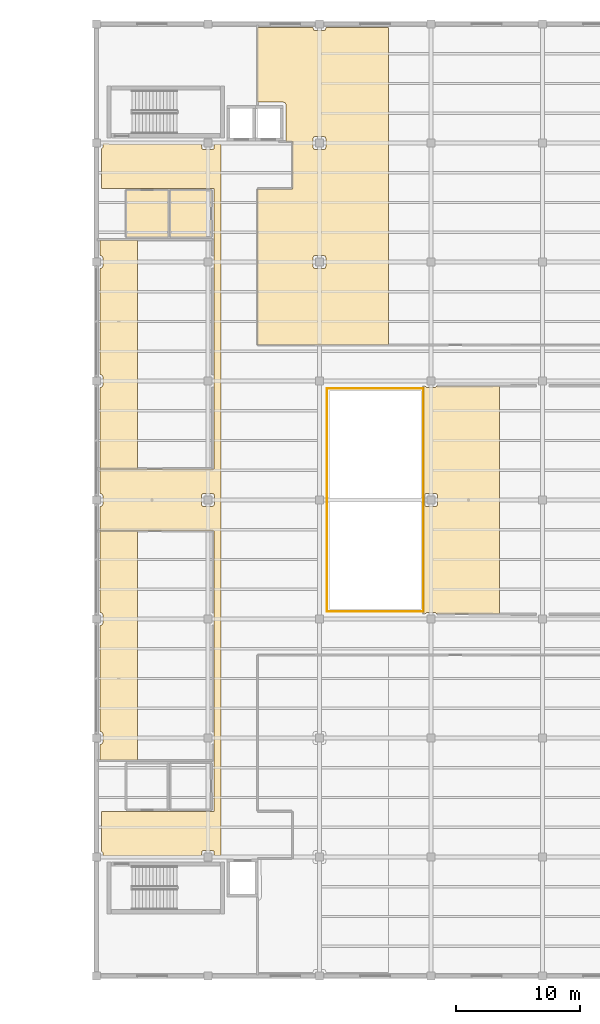
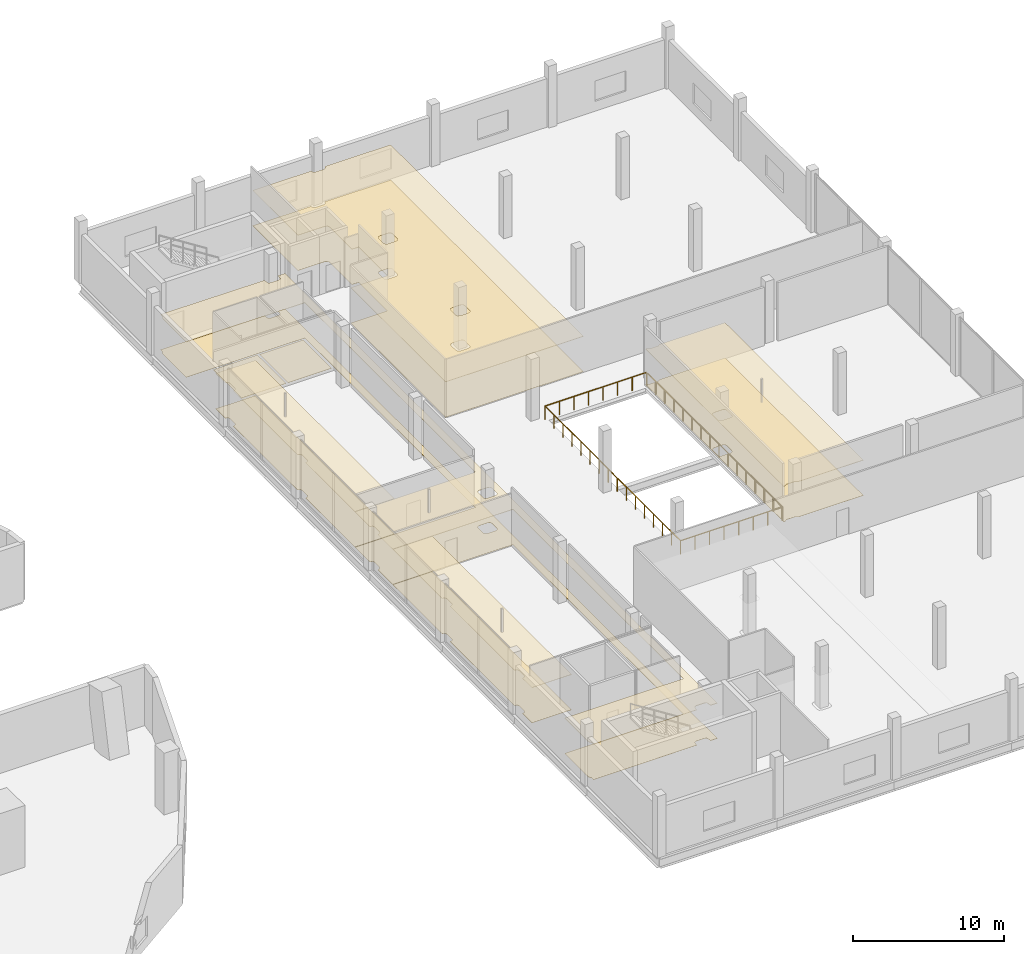
# One storey, part 45 of 46: 12 coverings, 4 railings.
"""IFC4 building model written with IfcOpenShell, lengths in metres."""

from ifc_helpers import new_model, si_unit, direction, frame, origin, origin_2d, place, context, subcontext, project, spatial, polyline, circle, outline, extrude, material, layer, layer_set, type_object, element, save


model = new_model("IFC4")

# Units and contexts
model_context = context("Model", 3, precision=1e-05, world=origin(), true_north=direction((0.0, 1.0)))
body_context = subcontext(model_context, "Body", "Model", "MODEL_VIEW")
ifc_project = project(units=[si_unit("LENGTHUNIT", "METRE"), si_unit("AREAUNIT", "SQUARE_METRE"), si_unit("VOLUMEUNIT", "CUBIC_METRE"), si_unit("PLANEANGLEUNIT", "RADIAN"), si_unit("MASSUNIT", "GRAM", prefix="KILO")], contexts=[model_context])

# Site, building, storey
site_placement = place(None, origin())
site = spatial("IfcSite", under=ifc_project, at=site_placement, CompositionType="ELEMENT")
building_placement = place(site_placement, origin())
building = spatial("IfcBuilding", under=site, at=building_placement, Name="Qorvath Tower", CompositionType="ELEMENT")
storey_placement = place(building_placement, frame((0.0, 0.0, 17.0)))
storey = spatial("IfcBuildingStorey", under=building, at=storey_placement, Name="L03", CompositionType="ELEMENT", Elevation=17.0)

# Coverings
ifc_material_1 = material(Name="Acoustic mineral fibre ceiling tile", Category="gypsum")
ifc_layer_1 = layer(ifc_material_1, 0.030029296875)
ifc_layer_set_1 = layer_set([ifc_layer_1], Name="COV-CEIL")
covering_type_1 = type_object("IfcCoveringType", Name="COV-CEIL", PredefinedType="CEILING", material=ifc_layer_set_1)
covering_1_placement = place(storey_placement, frame((0.0, 0.0, 2.85009765625)))
element("IfcCovering", 1, at=covering_1_placement, inside=storey, type_object=covering_type_1, Name="L03 Suspended Acoustic Ceiling 005", PredefinedType="CEILING", context=body_context, shape_type="SweptSolid", body=[
    extrude(outline(polyline([(41.905029296875, -25.1201171875), (32.804931640625, -25.125), (32.804931640625, -28.302734375), (32.9296875, -28.47314453125), (32.929931640625, -28.733154296875), (40.8701171875, -28.699951171875), (40.931640625, -28.328857421875), (41.074951171875, -28.27001953125), (41.72509765625, -28.27001953125), (41.87109375, -28.331787109375), (41.929931640625, -28.699951171875), (42.455078125, -28.698486328125), (42.455078125, 28.7080078125), (41.929931640625, 28.7099609375), (41.87109375, 28.331787109375), (41.72509765625, 28.27001953125), (41.074951171875, 28.27001953125), (40.931640625, 28.328857421875), (40.8701171875, 28.7099609375), (32.929931640625, 28.7431640625), (32.9296875, 28.47314453125), (32.804931640625, 28.302734375), (32.804931640625, 25.125), (41.905029296875, 25.1201171875), (41.905029296875, 2.5), (32.68505859375, 2.4951171875), (32.68505859375, 0.528564453125), (32.867919921875, 0.47119140625), (32.9296875, 0.326904296875), (32.929931640625, -0.324951171875), (32.867919921875, -0.47119140625), (32.68505859375, -0.528564453125), (32.68505859375, -2.4951171875), (41.905029296875, -2.5), (41.905029296875, -25.1201171875)]), holes=[polyline([(40.928955078125, -0.46826171875), (40.8701171875, -0.324951171875), (40.8701171875, 0.324951171875), (40.931640625, 0.470947265625), (41.074951171875, 0.530029296875), (41.72509765625, 0.530029296875), (41.87109375, 0.46826171875), (41.929931640625, 0.324951171875), (41.929931640625, -0.324951171875), (41.868408203125, -0.470947265625), (41.72509765625, -0.530029296875), (41.074951171875, -0.530029296875), (40.928955078125, -0.46826171875)])]), origin(), (0.0, 0.0, 1.0), 0.030029296875),
])
covering_2_placement = place(storey_placement, frame((0.0, 0.0, 2.85009765625)))
element("IfcCovering", 2, at=covering_2_placement, inside=storey, type_object=covering_type_1, Name="L03 Suspended Acoustic Ceiling 006", PredefinedType="CEILING", context=body_context, shape_type="SweptSolid", body=[
    extrude(outline(polyline([(45.405029296875, 38.114990234375), (45.405029296875, 32.110107421875), (47.4599609375, 32.110107421875), (47.63671875, 32.036865234375), (47.7099609375, 31.860107421875), (47.69873046875, 28.9130859375), (48.212890625, 28.907958984375), (48.21142578125, 25.1083984375), (45.4130859375, 25.10693359375), (45.4130859375, 12.512939453125), (55.97509765625, 12.51025390625), (55.97509765625, 38.114990234375), (50.9287109375, 38.114990234375), (50.87109375, 37.93212890625), (50.726806640625, 37.870361328125), (50.074951171875, 37.8701171875), (49.9287109375, 37.93212890625), (49.871337890625, 38.114990234375), (45.405029296875, 38.114990234375)]), holes=[polyline([(50.726806640625, 29.32958984375), (50.87109375, 29.268310546875), (50.929931640625, 29.125), (50.929931640625, 28.47509765625), (50.87109375, 28.331787109375), (50.72509765625, 28.27001953125), (50.074951171875, 28.27001953125), (49.931640625, 28.328857421875), (49.8701171875, 28.47509765625), (49.8701171875, 29.125), (49.928955078125, 29.268310546875), (50.074951171875, 29.330078125), (50.726806640625, 29.32958984375)]), polyline([(50.87109375, 19.668212890625), (50.929931640625, 19.52490234375), (50.929931640625, 18.875), (50.868408203125, 18.72900390625), (50.72509765625, 18.669921875), (50.074951171875, 18.669921875), (49.928955078125, 18.731689453125), (49.8701171875, 18.875), (49.8701171875, 19.52490234375), (49.931640625, 19.671142578125), (50.074951171875, 19.72998046875), (50.72509765625, 19.72998046875), (50.87109375, 19.668212890625)])]), origin(), (0.0, 0.0, 1.0), 0.030029296875),
])
covering_3_placement = place(storey_placement, frame((0.0, 0.0, 2.85009765625)))
element("IfcCovering", 3, at=covering_3_placement, inside=storey, type_object=covering_type_1, Name="L03 Suspended Acoustic Ceiling 008", PredefinedType="CEILING", context=body_context, shape_type="SweptSolid", body=[
    extrude(outline(polyline([(59.726806640625, -9.0703125), (59.89404296875, -9.18701171875), (64.908447265625, -9.19189453125), (64.908447265625, 9.19189453125), (59.89404296875, 9.18701171875), (59.72509765625, 9.070068359375), (59.074951171875, 9.070068359375), (58.906005859375, 9.18701171875), (58.804931640625, 9.18701171875), (58.804931640625, -9.18701171875), (58.906005859375, -9.18701171875), (59.074951171875, -9.070068359375), (59.726806640625, -9.0703125)]), holes=[polyline([(59.87109375, 0.46826171875), (59.929931640625, 0.324951171875), (59.929931640625, -0.324951171875), (59.868408203125, -0.470947265625), (59.72509765625, -0.530029296875), (59.074951171875, -0.530029296875), (58.928955078125, -0.46826171875), (58.8701171875, -0.324951171875), (58.8701171875, 0.324951171875), (58.931640625, 0.470947265625), (59.074951171875, 0.530029296875), (59.72509765625, 0.530029296875), (59.87109375, 0.46826171875)])]), origin(), (0.0, 0.0, 1.0), 0.030029296875),
])
covering_4_placement = place(storey_placement, frame((0.0, 0.0, 2.85009765625)))
element("IfcCovering", 4, at=covering_4_placement, inside=storey, type_object=covering_type_1, Name="L03 Suspended Acoustic Ceiling 009", PredefinedType="CEILING", context=body_context, shape_type="SweptSolid", body=[
    extrude(outline(polyline([(32.9296875, 9.273193359375), (32.867919921875, 9.12890625), (32.68505859375, 9.0712890625), (32.68505859375, 2.512939453125), (35.7216796875, 2.512939453125), (35.7216796875, 20.9951171875), (32.68505859375, 20.9951171875), (32.68505859375, 19.728759765625), (32.867919921875, 19.671142578125), (32.9296875, 19.52685546875), (32.929931640625, 18.875), (32.867919921875, 18.728759765625), (32.68505859375, 18.67138671875), (32.68505859375, 10.128662109375), (32.867919921875, 10.0712890625), (32.9296875, 9.927001953125), (32.9296875, 9.273193359375)])), origin(), (0.0, 0.0, 1.0), 0.030029296875),
])
covering_5_placement = place(storey_placement, frame((0.0, 0.0, 2.85009765625)))
element("IfcCovering", 5, at=covering_5_placement, inside=storey, type_object=covering_type_1, Name="L03 Suspended Acoustic Ceiling 010", PredefinedType="CEILING", context=body_context, shape_type="SweptSolid", body=[
    extrude(outline(polyline([(32.9296875, -19.52685546875), (32.867919921875, -19.671142578125), (32.68505859375, -19.728759765625), (32.68505859375, -20.9951171875), (35.7216796875, -20.9951171875), (35.7216796875, -2.512939453125), (32.68505859375, -2.512939453125), (32.68505859375, -9.0712890625), (32.867919921875, -9.12890625), (32.9296875, -9.273193359375), (32.929931640625, -9.925048828125), (32.867919921875, -10.0712890625), (32.68505859375, -10.128662109375), (32.68505859375, -18.67138671875), (32.867919921875, -18.728759765625), (32.9296875, -18.873046875), (32.9296875, -19.52685546875)])), origin(), (0.0, 0.0, 1.0), 0.030029296875),
])
ifc_material_2 = material(Name="Low-VOC modular carpet tile", Category="textile")
ifc_layer_2 = layer(ifc_material_2, 0.014892578125)
ifc_layer_set_2 = layer_set([ifc_layer_2], Name="COV-FLOOR-CPT")
covering_type_2 = type_object("IfcCoveringType", Name="COV-FLOOR-CPT", PredefinedType="FLOORING", material=ifc_layer_set_2)
covering_6_placement = place(storey_placement, origin())
element("IfcCovering", 6, at=covering_6_placement, inside=storey, type_object=covering_type_2, Name="L03 Floor Finish 006", PredefinedType="FLOORING", context=body_context, shape_type="SweptSolid", body=[
    extrude(outline(polyline([(45.405029296875, 38.114990234375), (45.405029296875, 32.110107421875), (47.4599609375, 32.110107421875), (47.63671875, 32.036865234375), (47.7099609375, 31.860107421875), (47.69873046875, 28.9130859375), (48.212890625, 28.907958984375), (48.21142578125, 25.1083984375), (45.4130859375, 25.10693359375), (45.4130859375, 12.512939453125), (55.97509765625, 12.51025390625), (55.97509765625, 38.114990234375), (50.9287109375, 38.114990234375), (50.87109375, 37.93212890625), (50.726806640625, 37.870361328125), (50.074951171875, 37.8701171875), (49.9287109375, 37.93212890625), (49.871337890625, 38.114990234375), (45.405029296875, 38.114990234375)]), holes=[polyline([(50.726806640625, 29.32958984375), (50.87109375, 29.268310546875), (50.929931640625, 29.125), (50.929931640625, 28.47509765625), (50.87109375, 28.331787109375), (50.72509765625, 28.27001953125), (50.074951171875, 28.27001953125), (49.931640625, 28.328857421875), (49.8701171875, 28.47509765625), (49.8701171875, 29.125), (49.928955078125, 29.268310546875), (50.074951171875, 29.330078125), (50.726806640625, 29.32958984375)]), polyline([(50.87109375, 19.668212890625), (50.929931640625, 19.52490234375), (50.929931640625, 18.875), (50.868408203125, 18.72900390625), (50.72509765625, 18.669921875), (50.074951171875, 18.669921875), (49.928955078125, 18.731689453125), (49.8701171875, 18.875), (49.8701171875, 19.52490234375), (49.931640625, 19.671142578125), (50.074951171875, 19.72998046875), (50.72509765625, 19.72998046875), (50.87109375, 19.668212890625)])]), origin(), (0.0, 0.0, 1.0), 0.014892578125),
])
covering_7_placement = place(storey_placement, origin())
element("IfcCovering", 7, at=covering_7_placement, inside=storey, type_object=covering_type_2, Name="L03 Floor Finish 008", PredefinedType="FLOORING", context=body_context, shape_type="SweptSolid", body=[
    extrude(outline(polyline([(59.726806640625, -9.0703125), (59.89404296875, -9.18701171875), (64.908447265625, -9.19189453125), (64.908447265625, 9.19189453125), (59.89404296875, 9.18701171875), (59.72509765625, 9.070068359375), (59.074951171875, 9.070068359375), (58.906005859375, 9.18701171875), (58.804931640625, 9.18701171875), (58.804931640625, -9.18701171875), (58.906005859375, -9.18701171875), (59.074951171875, -9.070068359375), (59.726806640625, -9.0703125)]), holes=[polyline([(59.87109375, 0.46826171875), (59.929931640625, 0.324951171875), (59.929931640625, -0.324951171875), (59.868408203125, -0.470947265625), (59.72509765625, -0.530029296875), (59.074951171875, -0.530029296875), (58.928955078125, -0.46826171875), (58.8701171875, -0.324951171875), (58.8701171875, 0.324951171875), (58.931640625, 0.470947265625), (59.074951171875, 0.530029296875), (59.72509765625, 0.530029296875), (59.87109375, 0.46826171875)])]), origin(), (0.0, 0.0, 1.0), 0.014892578125),
])
covering_8_placement = place(storey_placement, origin())
element("IfcCovering", 8, at=covering_8_placement, inside=storey, type_object=covering_type_2, Name="L03 Floor Finish 009", PredefinedType="FLOORING", context=body_context, shape_type="SweptSolid", body=[
    extrude(outline(polyline([(32.9296875, 9.273193359375), (32.867919921875, 9.12890625), (32.68505859375, 9.0712890625), (32.68505859375, 2.512939453125), (35.7216796875, 2.512939453125), (35.7216796875, 20.9951171875), (32.68505859375, 20.9951171875), (32.68505859375, 19.728759765625), (32.867919921875, 19.671142578125), (32.9296875, 19.52685546875), (32.929931640625, 18.875), (32.867919921875, 18.728759765625), (32.68505859375, 18.67138671875), (32.68505859375, 10.128662109375), (32.867919921875, 10.0712890625), (32.9296875, 9.927001953125), (32.9296875, 9.273193359375)])), origin(), (0.0, 0.0, 1.0), 0.014892578125),
])
covering_9_placement = place(storey_placement, origin())
element("IfcCovering", 9, at=covering_9_placement, inside=storey, type_object=covering_type_2, Name="L03 Floor Finish 010", PredefinedType="FLOORING", context=body_context, shape_type="SweptSolid", body=[
    extrude(outline(polyline([(32.9296875, -19.52685546875), (32.867919921875, -19.671142578125), (32.68505859375, -19.728759765625), (32.68505859375, -20.9951171875), (35.7216796875, -20.9951171875), (35.7216796875, -2.512939453125), (32.68505859375, -2.512939453125), (32.68505859375, -9.0712890625), (32.867919921875, -9.12890625), (32.9296875, -9.273193359375), (32.929931640625, -9.925048828125), (32.867919921875, -10.0712890625), (32.68505859375, -10.128662109375), (32.68505859375, -18.67138671875), (32.867919921875, -18.728759765625), (32.9296875, -18.873046875), (32.9296875, -19.52685546875)])), origin(), (0.0, 0.0, 1.0), 0.014892578125),
])
ifc_material_3 = material(Name="Polished epoxy terrazzo flooring", Category="concrete")
ifc_layer_3 = layer(ifc_material_3, 0.02001953125)
ifc_layer_set_3 = layer_set([ifc_layer_3], Name="COV-FLOOR-TRZ")
covering_type_3 = type_object("IfcCoveringType", Name="COV-FLOOR-TRZ", PredefinedType="FLOORING", material=ifc_layer_set_3)
covering_10_placement = place(storey_placement, origin())
element("IfcCovering", 10, at=covering_10_placement, inside=storey, type_object=covering_type_3, Name="L03 Floor Finish 001", PredefinedType="FLOORING", context=body_context, shape_type="SweptSolid", body=[
    extrude(outline(polyline([(38.195068359375, 24.9951171875), (34.804931640625, 24.9951171875), (34.804931640625, 21.205078125), (38.195068359375, 21.205078125), (38.195068359375, 24.9951171875)])), origin(), (0.0, 0.0, 1.0), 0.014892578125),
])
covering_11_placement = place(storey_placement, origin())
element("IfcCovering", 11, at=covering_11_placement, inside=storey, type_object=covering_type_3, Name="L03 Floor Finish 002", PredefinedType="FLOORING", context=body_context, shape_type="SweptSolid", body=[
    extrude(outline(polyline([(41.695068359375, 24.9951171875), (38.35498046875, 24.9951171875), (38.35498046875, 21.205078125), (41.695068359375, 21.205078125), (41.695068359375, 24.9951171875)])), origin(), (0.0, 0.0, 1.0), 0.014892578125),
])
covering_12_placement = place(storey_placement, origin())
element("IfcCovering", 12, at=covering_12_placement, inside=storey, type_object=covering_type_3, Name="L03 Floor Finish 005", PredefinedType="FLOORING", context=body_context, shape_type="SweptSolid", body=[
    extrude(outline(polyline([(41.905029296875, -25.1201171875), (32.804931640625, -25.125), (32.804931640625, -28.302734375), (32.9296875, -28.47314453125), (32.929931640625, -28.733154296875), (40.8701171875, -28.699951171875), (40.931640625, -28.328857421875), (41.074951171875, -28.27001953125), (41.72509765625, -28.27001953125), (41.87109375, -28.331787109375), (41.929931640625, -28.699951171875), (42.455078125, -28.698486328125), (42.455078125, 28.7080078125), (41.929931640625, 28.7099609375), (41.87109375, 28.331787109375), (41.72509765625, 28.27001953125), (41.074951171875, 28.27001953125), (40.931640625, 28.328857421875), (40.8701171875, 28.7099609375), (32.929931640625, 28.7431640625), (32.9296875, 28.47314453125), (32.804931640625, 28.302734375), (32.804931640625, 25.125), (41.905029296875, 25.1201171875), (41.905029296875, 2.5), (32.68505859375, 2.4951171875), (32.68505859375, 0.528564453125), (32.867919921875, 0.47119140625), (32.9296875, 0.326904296875), (32.929931640625, -0.324951171875), (32.867919921875, -0.47119140625), (32.68505859375, -0.528564453125), (32.68505859375, -2.4951171875), (41.905029296875, -2.5), (41.905029296875, -25.1201171875)]), holes=[polyline([(40.928955078125, -0.46826171875), (40.8701171875, -0.324951171875), (40.8701171875, 0.324951171875), (40.931640625, 0.470947265625), (41.074951171875, 0.530029296875), (41.72509765625, 0.530029296875), (41.87109375, 0.46826171875), (41.929931640625, 0.324951171875), (41.929931640625, -0.324951171875), (41.868408203125, -0.470947265625), (41.72509765625, -0.530029296875), (41.074951171875, -0.530029296875), (40.928955078125, -0.46826171875)])]), origin(), (0.0, 0.0, 1.0), 0.014892578125),
])

# Railings
ifc_material_4 = material(Name="Stainless steel AISI 316 and laminated glass", Category="steel")
railing_type = type_object("IfcRailingType", Name="RL-ATRIUM-BAL", PredefinedType="BALUSTRADE", material=ifc_material_4)
railing_1_placement = place(storey_placement, frame((51.0, -9.0, 0.0)))
element("IfcRailing", 13, at=railing_1_placement, inside=storey, type_object=railing_type, Name="Library Atrium Balustrade L03-1", PredefinedType="BALUSTRADE", context=body_context, shape_type="SweptSolid", body=[
    extrude(circle(Radius=0.02392578125, at=origin_2d()), frame((0.0, 0.0, 1.09619140625), z_axis=(1.0, 0.0, 0.0), x_axis=(0.0, 1.0, 0.0)), (0.0, 0.0, 1.0), 7.800048828125),
    extrude(circle(Radius=0.02099609375, at=origin_2d()), origin(), (0.0, 0.0, 1.0), 1.072021484375),
    extrude(circle(Radius=0.02099609375, at=origin_2d()), frame((1.1142578125, 0.0, 0.0)), (0.0, 0.0, 1.0), 1.072021484375),
    extrude(circle(Radius=0.02099609375, at=origin_2d()), frame((2.228515625, 0.0, 0.0)), (0.0, 0.0, 1.0), 1.072021484375),
    extrude(circle(Radius=0.02099609375, at=origin_2d()), frame((3.3427734375, 0.0, 0.0)), (0.0, 0.0, 1.0), 1.072021484375),
    extrude(circle(Radius=0.02099609375, at=origin_2d()), frame((4.457275390625, 0.0, 0.0)), (0.0, 0.0, 1.0), 1.072021484375),
    extrude(circle(Radius=0.02099609375, at=origin_2d()), frame((5.571533203125, 0.0, 0.0)), (0.0, 0.0, 1.0), 1.072021484375),
    extrude(circle(Radius=0.02099609375, at=origin_2d()), frame((6.685791015625, 0.0, 0.0)), (0.0, 0.0, 1.0), 1.072021484375),
    extrude(circle(Radius=0.02099609375, at=origin_2d()), frame((7.800048828125, 0.0, 0.0)), (0.0, 0.0, 1.0), 1.072021484375),
])
railing_2_placement = place(storey_placement, frame((58.800048828125, -9.0, 0.0)))
element("IfcRailing", 14, at=railing_2_placement, inside=storey, type_object=railing_type, Name="Library Atrium Balustrade L03-2", PredefinedType="BALUSTRADE", context=body_context, shape_type="SweptSolid", body=[
    extrude(circle(Radius=0.02392578125, at=origin_2d()), frame((0.0, 0.0, 1.09619140625), z_axis=(0.0, 1.0, 0.0), x_axis=(-1.0, 0.0, 0.0)), (0.0, 0.0, 1.0), 18.0),
    extrude(circle(Radius=0.02099609375, at=origin_2d()), origin(), (0.0, 0.0, 1.0), 1.072021484375),
    extrude(circle(Radius=0.02099609375, at=origin_2d()), frame((0.0, 1.199951171875, 0.0)), (0.0, 0.0, 1.0), 1.072021484375),
    extrude(circle(Radius=0.02099609375, at=origin_2d()), frame((0.0, 2.39990234375, 0.0)), (0.0, 0.0, 1.0), 1.072021484375),
    extrude(circle(Radius=0.02099609375, at=origin_2d()), frame((0.0, 3.60009765625, 0.0)), (0.0, 0.0, 1.0), 1.072021484375),
    extrude(circle(Radius=0.02099609375, at=origin_2d()), frame((0.0, 4.800048828125, 0.0)), (0.0, 0.0, 1.0), 1.072021484375),
    extrude(circle(Radius=0.02099609375, at=origin_2d()), frame((0.0, 6.0, 0.0)), (0.0, 0.0, 1.0), 1.072021484375),
    extrude(circle(Radius=0.02099609375, at=origin_2d()), frame((0.0, 7.199951171875, 0.0)), (0.0, 0.0, 1.0), 1.072021484375),
    extrude(circle(Radius=0.02099609375, at=origin_2d()), frame((0.0, 8.39990234375, 0.0)), (0.0, 0.0, 1.0), 1.072021484375),
    extrude(circle(Radius=0.02099609375, at=origin_2d()), frame((0.0, 9.60009765625, 0.0)), (0.0, 0.0, 1.0), 1.072021484375),
    extrude(circle(Radius=0.02099609375, at=origin_2d()), frame((0.0, 10.800048828125, 0.0)), (0.0, 0.0, 1.0), 1.072021484375),
    extrude(circle(Radius=0.02099609375, at=origin_2d()), frame((0.0, 12.0, 0.0)), (0.0, 0.0, 1.0), 1.072021484375),
    extrude(circle(Radius=0.02099609375, at=origin_2d()), frame((0.0, 13.199951171875, 0.0)), (0.0, 0.0, 1.0), 1.072021484375),
    extrude(circle(Radius=0.02099609375, at=origin_2d()), frame((0.0, 14.39990234375, 0.0)), (0.0, 0.0, 1.0), 1.072021484375),
    extrude(circle(Radius=0.02099609375, at=origin_2d()), frame((0.0, 15.60009765625, 0.0)), (0.0, 0.0, 1.0), 1.072021484375),
    extrude(circle(Radius=0.02099609375, at=origin_2d()), frame((0.0, 16.800048828125, 0.0)), (0.0, 0.0, 1.0), 1.072021484375),
    extrude(circle(Radius=0.02099609375, at=origin_2d()), frame((0.0, 18.0, 0.0)), (0.0, 0.0, 1.0), 1.072021484375),
])
railing_3_placement = place(storey_placement, frame((58.800048828125, 9.0, 0.0)))
element("IfcRailing", 15, at=railing_3_placement, inside=storey, type_object=railing_type, Name="Library Atrium Balustrade L03-3", PredefinedType="BALUSTRADE", context=body_context, shape_type="SweptSolid", body=[
    extrude(circle(Radius=0.02392578125, at=origin_2d()), frame((0.0, 0.0, 1.09619140625), z_axis=(-1.0, 0.0, 0.0), x_axis=(0.0, -1.0, 0.0)), (0.0, 0.0, 1.0), 7.800048828125),
    extrude(circle(Radius=0.02099609375, at=origin_2d()), origin(), (0.0, 0.0, 1.0), 1.072021484375),
    extrude(circle(Radius=0.02099609375, at=origin_2d()), frame((-1.1142578125, 0.0, 0.0)), (0.0, 0.0, 1.0), 1.072021484375),
    extrude(circle(Radius=0.02099609375, at=origin_2d()), frame((-2.228515625, 0.0, 0.0)), (0.0, 0.0, 1.0), 1.072021484375),
    extrude(circle(Radius=0.02099609375, at=origin_2d()), frame((-3.3427734375, 0.0, 0.0)), (0.0, 0.0, 1.0), 1.072021484375),
    extrude(circle(Radius=0.02099609375, at=origin_2d()), frame((-4.457275390625, 0.0, 0.0)), (0.0, 0.0, 1.0), 1.072021484375),
    extrude(circle(Radius=0.02099609375, at=origin_2d()), frame((-5.571533203125, 0.0, 0.0)), (0.0, 0.0, 1.0), 1.072021484375),
    extrude(circle(Radius=0.02099609375, at=origin_2d()), frame((-6.685791015625, 0.0, 0.0)), (0.0, 0.0, 1.0), 1.072021484375),
    extrude(circle(Radius=0.02099609375, at=origin_2d()), frame((-7.800048828125, 0.0, 0.0)), (0.0, 0.0, 1.0), 1.072021484375),
])
railing_4_placement = place(storey_placement, frame((51.0, 9.0, 0.0)))
element("IfcRailing", 16, at=railing_4_placement, inside=storey, type_object=railing_type, Name="Library Atrium Balustrade L03-4", PredefinedType="BALUSTRADE", context=body_context, shape_type="SweptSolid", body=[
    extrude(circle(Radius=0.02392578125, at=origin_2d()), frame((0.0, 0.0, 1.09619140625), z_axis=(0.0, -1.0, 0.0), x_axis=(1.0, 0.0, 0.0)), (0.0, 0.0, 1.0), 18.0),
    extrude(circle(Radius=0.02099609375, at=origin_2d()), origin(), (0.0, 0.0, 1.0), 1.072021484375),
    extrude(circle(Radius=0.02099609375, at=origin_2d()), frame((0.0, -1.199951171875, 0.0)), (0.0, 0.0, 1.0), 1.072021484375),
    extrude(circle(Radius=0.02099609375, at=origin_2d()), frame((0.0, -2.39990234375, 0.0)), (0.0, 0.0, 1.0), 1.072021484375),
    extrude(circle(Radius=0.02099609375, at=origin_2d()), frame((0.0, -3.60009765625, 0.0)), (0.0, 0.0, 1.0), 1.072021484375),
    extrude(circle(Radius=0.02099609375, at=origin_2d()), frame((0.0, -4.800048828125, 0.0)), (0.0, 0.0, 1.0), 1.072021484375),
    extrude(circle(Radius=0.02099609375, at=origin_2d()), frame((0.0, -6.0, 0.0)), (0.0, 0.0, 1.0), 1.072021484375),
    extrude(circle(Radius=0.02099609375, at=origin_2d()), frame((0.0, -7.199951171875, 0.0)), (0.0, 0.0, 1.0), 1.072021484375),
    extrude(circle(Radius=0.02099609375, at=origin_2d()), frame((0.0, -8.39990234375, 0.0)), (0.0, 0.0, 1.0), 1.072021484375),
    extrude(circle(Radius=0.02099609375, at=origin_2d()), frame((0.0, -9.60009765625, 0.0)), (0.0, 0.0, 1.0), 1.072021484375),
    extrude(circle(Radius=0.02099609375, at=origin_2d()), frame((0.0, -10.800048828125, 0.0)), (0.0, 0.0, 1.0), 1.072021484375),
    extrude(circle(Radius=0.02099609375, at=origin_2d()), frame((0.0, -12.0, 0.0)), (0.0, 0.0, 1.0), 1.072021484375),
    extrude(circle(Radius=0.02099609375, at=origin_2d()), frame((0.0, -13.199951171875, 0.0)), (0.0, 0.0, 1.0), 1.072021484375),
    extrude(circle(Radius=0.02099609375, at=origin_2d()), frame((0.0, -14.39990234375, 0.0)), (0.0, 0.0, 1.0), 1.072021484375),
    extrude(circle(Radius=0.02099609375, at=origin_2d()), frame((0.0, -15.60009765625, 0.0)), (0.0, 0.0, 1.0), 1.072021484375),
    extrude(circle(Radius=0.02099609375, at=origin_2d()), frame((0.0, -16.800048828125, 0.0)), (0.0, 0.0, 1.0), 1.072021484375),
    extrude(circle(Radius=0.02099609375, at=origin_2d()), frame((0.0, -18.0, 0.0)), (0.0, 0.0, 1.0), 1.072021484375),
])

save(model, "model.ifc")
